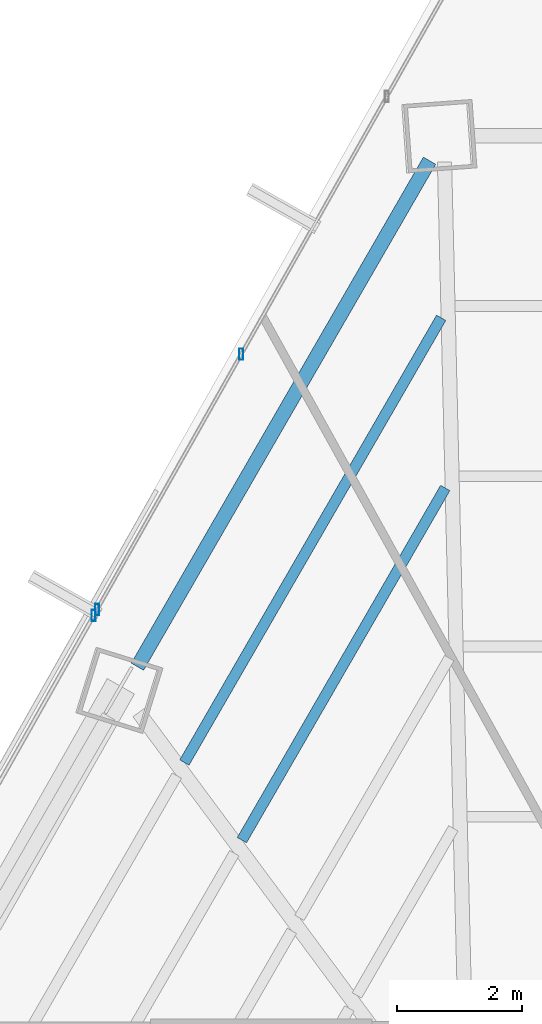
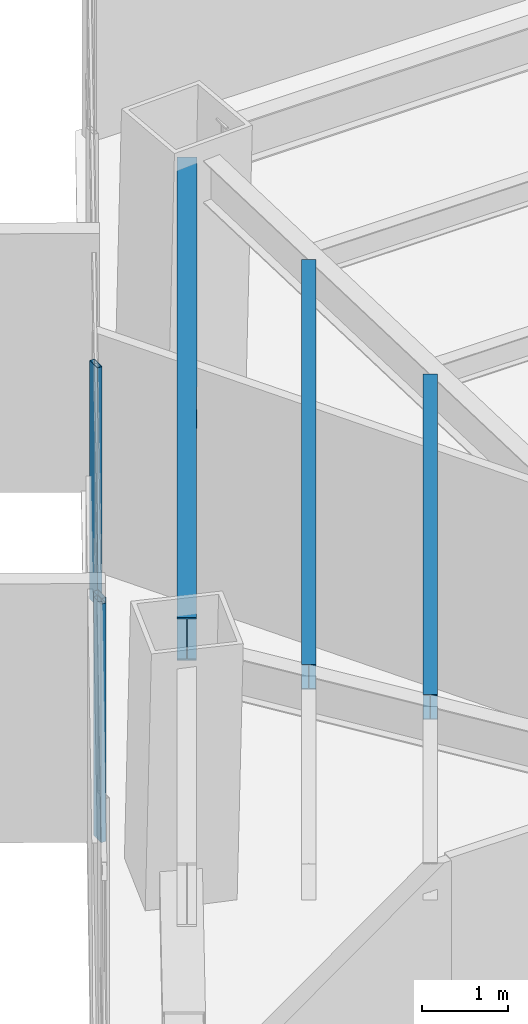
# One storey, part 24 of 36: 3 beams, 3 members, 2 elements without a shape of their own.
"""IFC4 building model written with IfcOpenShell, lengths in metres."""

from ifc_helpers import new_model, si_unit, direction, frame, origin, origin_2d, place, context, subcontext, project, spatial, hollow_rectangle, i_section, extrude, source, transform, mapped, material, material_profile, profile_set, type_object, type_shapes, element, aggregate, save


model = new_model("IFC4")

# Units and contexts
model_context = context("Model", 3, precision=1e-05, world=origin(), true_north=direction((0.0, 1.0)))
body_context = subcontext(model_context, "Body", "Model", "MODEL_VIEW")
ifc_project = project(units=[si_unit("LENGTHUNIT", "METRE"), si_unit("AREAUNIT", "SQUARE_METRE"), si_unit("VOLUMEUNIT", "CUBIC_METRE"), si_unit("PLANEANGLEUNIT", "RADIAN"), si_unit("MASSUNIT", "GRAM", prefix="KILO")], contexts=[model_context])

# Site, building, storey
site_placement = place(None, origin())
site = spatial("IfcSite", under=ifc_project, at=site_placement, CompositionType="ELEMENT")
building_placement = place(site_placement, origin())
building = spatial("IfcBuilding", under=site, at=building_placement, Name="Caelisora Broadcast Tower", CompositionType="ELEMENT")
storey_placement = place(building_placement, frame((0.0, 0.0, 83.5)))
storey = spatial("IfcBuildingStorey", under=building, at=storey_placement, Name="L21", CompositionType="ELEMENT", Elevation=83.5)

# Beams
ifc_material_1 = material(Name="Steel Grade 350 (AS/NZS 3679.1)", Category="steel")
ifc_material_profile_1 = material_profile(ifc_material_1, i_section(OverallWidth=0.22900390625, OverallDepth=0.611572265625, WebThickness=0.011962890625, FlangeThickness=0.01953125, at=origin_2d()), Name="Steel Grade 350 (AS/NZS 3679.1)")
ifc_profile_set_1 = profile_set([ifc_material_profile_1], Name="Steel Grade 350 (AS/NZS 3679.1)")
beam_type_1 = type_object("IfcBeamType", Name="PG03", PredefinedType="BEAM", material=ifc_profile_set_1)
shared_shape_1 = source(origin(), body_context, "Body", "SweptSolid", [
    extrude(i_section(OverallWidth=0.22900390625, OverallDepth=0.611572265625, WebThickness=0.011962890625, FlangeThickness=0.01953125, at=origin_2d()), origin(), (0.0, 0.0, 1.0), 9.36962890625),
])
type_shapes(beam_type_1, [shared_shape_1])
beam_1_placement = place(storey_placement, frame((29.881103515625, 45.978515625, 3.09423828125), z_axis=(-0.500003643774, -0.86602330004, 0.0), x_axis=(0.86602330004, -0.500003643774, 0.0)))
element("IfcBeam", 1, at=beam_1_placement, inside=storey, type_object=beam_type_1, Name="L21 beam PG03", PredefinedType="BEAM", context=body_context, shape_type="MappedRepresentation", body=[
    mapped(shared_shape_1, transform((0.0, 0.0, 0.0), scale=1.0)),
])
ifc_material_profile_2 = material_profile(ifc_material_1, i_section(OverallWidth=0.172119140625, OverallDepth=0.358642578125, WebThickness=0.008056640625, FlangeThickness=0.012939453125, at=origin_2d()), Name="Steel Grade 350 (AS/NZS 3679.1)")
ifc_profile_set_2 = profile_set([ifc_material_profile_2], Name="Steel Grade 350 (AS/NZS 3679.1)")
beam_type_2 = type_object("IfcBeamType", Name="SB02", PredefinedType="JOIST", material=ifc_profile_set_2)
shared_shape_2 = source(origin(), body_context, "Body", "SweptSolid", [
    extrude(i_section(OverallWidth=0.172119140625, OverallDepth=0.358642578125, WebThickness=0.008056640625, FlangeThickness=0.012939453125, at=origin_2d()), origin(), (0.0, 0.0, 1.0), 6.522216796875),
])
beam_2_placement = place(storey_placement, frame((30.132568359375, 40.730712890625, 3.220703125), z_axis=(-0.499983833969, -0.866034737045, 0.0), x_axis=(0.866034737045, -0.499983833969, 0.0)))
element("IfcBeam", 2, at=beam_2_placement, inside=storey, type_object=beam_type_2, Name="L21 beam SB02", PredefinedType="JOIST", context=body_context, shape_type="MappedRepresentation", body=[
    mapped(shared_shape_2, transform((0.0, 0.0, 0.0), scale=1.0)),
])
shared_shape_3 = source(origin(), body_context, "Body", "SweptSolid", [
    extrude(i_section(OverallWidth=0.172119140625, OverallDepth=0.358642578125, WebThickness=0.008056640625, FlangeThickness=0.012939453125, at=origin_2d()), origin(), (0.0, 0.0, 1.0), 8.2373046875),
])
type_shapes(beam_type_2, [shared_shape_2, shared_shape_3])
beam_3_placement = place(storey_placement, frame((30.06787109375, 43.460205078125, 3.220703125), z_axis=(-0.499996112969, -0.866027647951, 0.0), x_axis=(0.866027647951, -0.499996112969, 0.0)))
element("IfcBeam", 3, at=beam_3_placement, inside=storey, type_object=beam_type_2, Name="L21 beam SB02", PredefinedType="JOIST", context=body_context, shape_type="MappedRepresentation", body=[
    mapped(shared_shape_3, transform((0.0, 0.0, 0.0), scale=1.0)),
])

# Curtain wall, member
ifc_material_2 = material(Name="Unitised Aluminium Insulated Shadow-Box Spandrel Curtain Wall", Category="aluminium")
curtain_wall_type_1 = type_object("IfcCurtainWallType", Name="CW-SP1", PredefinedType="NOTDEFINED", material=ifc_material_2)
curtain_wall_1_placement = place(storey_placement, origin())
curtain_wall_1 = element("IfcCurtainWall", 4, at=curtain_wall_1_placement, inside=storey, type_object=curtain_wall_type_1, Name="L21 curtain wall CW-SP1", PredefinedType="NOTDEFINED")
ifc_material_3 = material(Name="Aluminium 6063-T6 Anodised Terracotta Bronze", Category="aluminium")
ifc_material_profile_3 = material_profile(ifc_material_3, hollow_rectangle(XDim=0.06494140625, YDim=0.179931640625, WallThickness=0.00341796875, at=origin_2d()), Name="Aluminium 6063-T6 Anodised Terracotta Bronze")
ifc_profile_set_3 = profile_set([ifc_material_profile_3], Name="Aluminium 6063-T6 Anodised Terracotta Bronze")
member_type = type_object("IfcMemberType", Name="CWM-02", PredefinedType="MULLION", material=ifc_profile_set_3)
shared_shape_4 = source(origin(), body_context, "Body", "SweptSolid", [
    extrude(hollow_rectangle(XDim=0.06494140625, YDim=0.179931640625, WallThickness=0.00341796875, at=origin_2d()), origin(), (0.0, 0.0, 1.0), 3.39990234375),
])
type_shapes(member_type, [shared_shape_4])
member_1_placement = place(storey_placement, frame((24.49462890625, 38.6845703125, 0.0), z_axis=(0.0, 0.0, 1.0), x_axis=(1.0, 0.0, 0.0)))
member_1 = element("IfcMember", 5, at=member_1_placement, type_object=member_type, Name="L21-CW-B10 mullion #3", PredefinedType="MULLION", context=body_context, shape_type="MappedRepresentation", body=[
    mapped(shared_shape_4, transform((0.0, 0.0, 0.0), scale=1.0)),
])
aggregate(curtain_wall_1, [member_1])

# Curtain wall, members
ifc_material_4 = material(Name="Unitised Aluminium and Low-E Glass Curtain Wall", Category="glass")
curtain_wall_type_2 = type_object("IfcCurtainWallType", Name="CW-Z2", PredefinedType="NOTDEFINED", material=ifc_material_4)
curtain_wall_2_placement = place(storey_placement, origin())
curtain_wall_2 = element("IfcCurtainWall", 6, at=curtain_wall_2_placement, inside=storey, type_object=curtain_wall_type_2, Name="L21 curtain wall CW-Z2", PredefinedType="NOTDEFINED")
member_2_placement = place(storey_placement, frame((24.548583984375, 38.7802734375, 0.0), z_axis=(0.0, 0.0, 1.0), x_axis=(1.0, 0.0, 0.0)))
member_2 = element("IfcMember", 7, at=member_2_placement, type_object=member_type, Name="L21-CW-B11 mullion #0", PredefinedType="MULLION", context=body_context, shape_type="MappedRepresentation", body=[
    mapped(shared_shape_4, transform((0.0, 0.0, 0.0), scale=1.0)),
])
member_3_placement = place(storey_placement, frame((26.8603515625, 42.873291015625, 0.0), z_axis=(0.0, 0.0, 1.0), x_axis=(1.0, 0.0, 0.0)))
member_3 = element("IfcMember", 8, at=member_3_placement, type_object=member_type, Name="L21-CW-B11 mullion #1", PredefinedType="MULLION", context=body_context, shape_type="MappedRepresentation", body=[
    mapped(shared_shape_4, transform((0.0, 0.0, 0.0), scale=1.0)),
])
aggregate(curtain_wall_2, [member_2, member_3])

save(model, "model.ifc")
